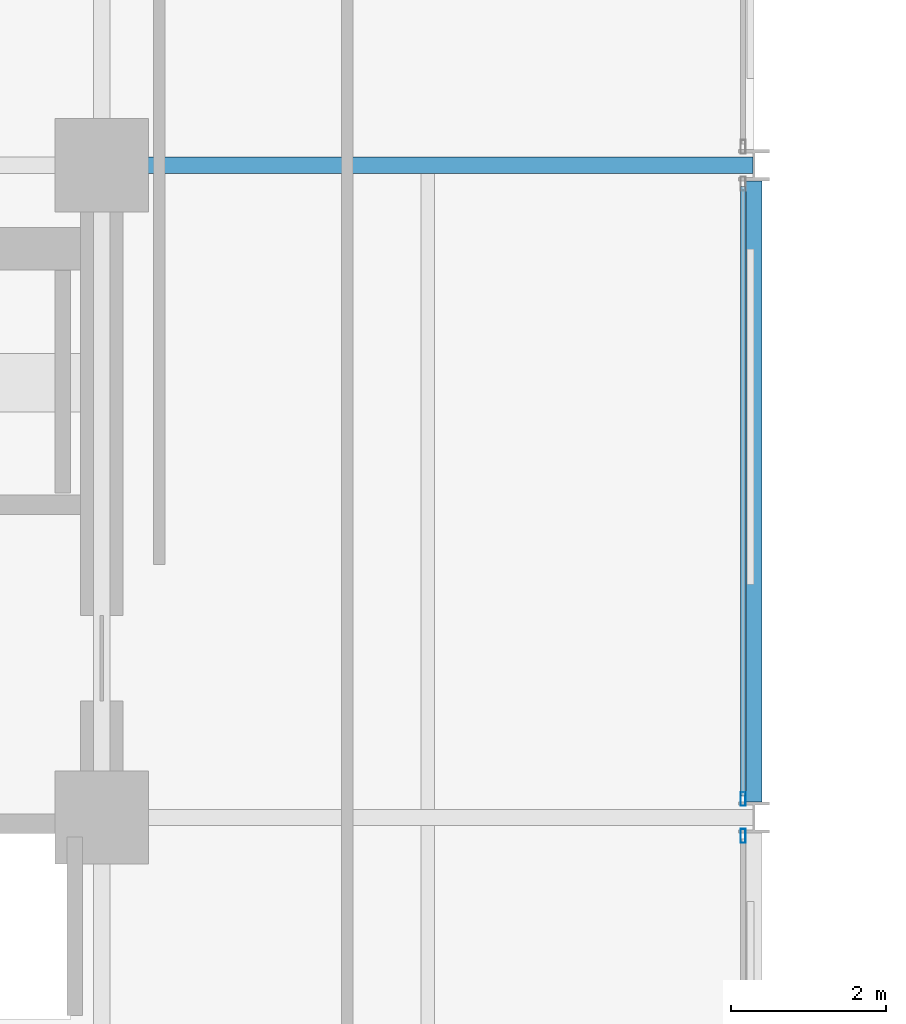
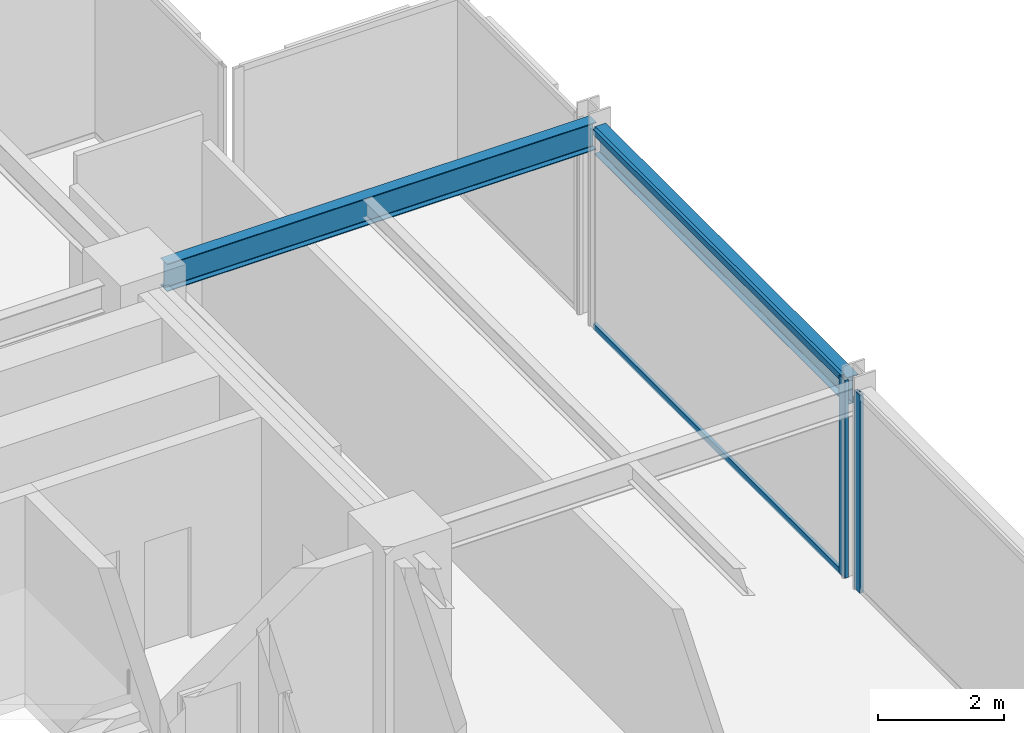
# One storey, part 27 of 38: 4 members, 2 beams, 2 elements without a shape of their own.
"""IFC4 building model written with IfcOpenShell, lengths in metres."""

from ifc_helpers import new_model, si_unit, direction, frame, origin, origin_2d, place, context, subcontext, project, spatial, hollow_rectangle, i_section, extrude, material, layer, layer_set, material_profile, profile_set, type_object, element, aggregate, save


model = new_model("IFC4")

# Units and contexts
model_context = context("Model", 3, precision=1e-05, world=origin(), true_north=direction((0.0, 1.0)))
body_context = subcontext(model_context, "Body", "Model", "MODEL_VIEW")
ifc_project = project(units=[si_unit("LENGTHUNIT", "METRE"), si_unit("AREAUNIT", "SQUARE_METRE"), si_unit("VOLUMEUNIT", "CUBIC_METRE"), si_unit("PLANEANGLEUNIT", "RADIAN"), si_unit("MASSUNIT", "GRAM", prefix="KILO")], contexts=[model_context])

# Site, building, storey
site_placement = place(None, origin())
site = spatial("IfcSite", under=ifc_project, at=site_placement, CompositionType="ELEMENT")
building_placement = place(site_placement, origin())
building = spatial("IfcBuilding", under=site, at=building_placement, Name="Nerrivon Quay Data Exchange", CompositionType="ELEMENT")
storey_placement = place(building_placement, frame((0.0, 0.0, 88.5)))
storey = spatial("IfcBuildingStorey", under=building, at=storey_placement, Name="L20", CompositionType="ELEMENT", Elevation=88.5)

# Beams
ifc_material_1 = material(Name="Steel Grade 350", Category="steel")
ifc_material_profile_1 = material_profile(ifc_material_1, i_section(OverallWidth=0.208984375, OverallDepth=0.532958984375, WebThickness=0.01025390625, FlangeThickness=0.015625, FilletRadius=0.013916015625, at=origin_2d()), Name="530UB92.4")
ifc_profile_set_1 = profile_set([ifc_material_profile_1], Name="Steel Grade 350")
beam_type_1 = type_object("IfcBeamType", Name="BM-G3-530UB92", PredefinedType="BEAM", material=ifc_profile_set_1)
beam_1_placement = place(storey_placement, frame((17.340087890625, 42.0, 3.55859375), z_axis=(1.0, 0.0, 0.0), x_axis=(0.0, 1.0, 0.0)))
element("IfcBeam", 1, at=beam_1_placement, inside=storey, type_object=beam_type_1, Name="L20 EW Girder Y=42.0 (16.8..25.2)", PredefinedType="BEAM", context=body_context, shape_type="SweptSolid", body=[
    extrude(i_section(OverallWidth=0.208984375, OverallDepth=0.532958984375, WebThickness=0.01025390625, FlangeThickness=0.015625, FilletRadius=0.013916015625, at=origin_2d()), origin(), (0.0, 0.0, 1.0), 7.847412109375),
])
ifc_material_profile_2 = material_profile(ifc_material_1, i_section(OverallWidth=0.208984375, OverallDepth=0.528076171875, WebThickness=0.009521484375, FlangeThickness=0.01318359375, FilletRadius=0.013916015625, at=origin_2d()), Name="530UB82.0")
ifc_profile_set_2 = profile_set([ifc_material_profile_2], Name="Steel Grade 350")
beam_type_2 = type_object("IfcBeamType", Name="BM-G4-530UB82", PredefinedType="BEAM", material=ifc_profile_set_2)
beam_2_placement = place(storey_placement, frame((25.199951171875, 33.800048828125, 3.56103515625), z_axis=(0.0, 1.0, 0.0), x_axis=(-1.0, 0.0, 0.0)))
element("IfcBeam", 2, at=beam_2_placement, inside=storey, type_object=beam_type_2, Name="L20 NS Girder X=25.2 (33.6..42.0)", PredefinedType="BEAM", context=body_context, shape_type="SweptSolid", body=[
    extrude(i_section(OverallWidth=0.208984375, OverallDepth=0.528076171875, WebThickness=0.009521484375, FlangeThickness=0.01318359375, FilletRadius=0.013916015625, at=origin_2d()), origin(), (0.0, 0.0, 1.0), 8.0),
])

# Curtain wall, member
ifc_material_2 = material(Name="Anodised aluminium 6063-T6", Category="aluminium")
ifc_layer = layer(ifc_material_2, 0.2099609375)
ifc_layer_set = layer_set([ifc_layer], Name="Anodised aluminium 6063-T6")
curtain_wall_type = type_object("IfcCurtainWallType", Name="CW-SYS-02", PredefinedType="NOTDEFINED", material=ifc_layer_set)
curtain_wall_1_placement = place(storey_placement, origin())
curtain_wall_1 = element("IfcCurtainWall", 3, at=curtain_wall_1_placement, inside=storey, type_object=curtain_wall_type, Name="L20 Unitised Curtain Wall 30", PredefinedType="NOTDEFINED")
ifc_material_profile_3 = material_profile(ifc_material_2, hollow_rectangle(XDim=0.06494140625, YDim=0.179931640625, WallThickness=0.00341796875, at=origin_2d()), Name="ALU-MULL-180x65")
ifc_profile_set_3 = profile_set([ifc_material_profile_3], Name="Anodised aluminium 6063-T6")
member_type_1 = type_object("IfcMemberType", Name="CWM-180x65", PredefinedType="MULLION", material=ifc_profile_set_3)
member_1_placement = place(storey_placement, frame((25.06005859375, 33.83740234375, 0.0), z_axis=(0.0, 0.0, 1.0), x_axis=(1.0, 0.0, 0.0)))
member_1 = element("IfcMember", 4, at=member_1_placement, type_object=member_type_1, Name="CW02 mullion 2", PredefinedType="MULLION", context=body_context, shape_type="SweptSolid", body=[
    extrude(hollow_rectangle(XDim=0.06494140625, YDim=0.179931640625, WallThickness=0.00341796875, at=origin_2d()), origin(), (0.0, 0.0, 1.0), 3.824951171875),
])

curtain_wall_2_placement = place(storey_placement, origin())
curtain_wall_2 = element("IfcCurtainWall", 5, at=curtain_wall_2_placement, inside=storey, type_object=curtain_wall_type, Name="L20 Unitised Curtain Wall 31", PredefinedType="NOTDEFINED")
member_2_placement = place(storey_placement, frame((25.06005859375, 33.362548828125, 0.0), z_axis=(0.0, 0.0, 1.0), x_axis=(1.0, 0.0, 0.0)))
member_2 = element("IfcMember", 6, at=member_2_placement, type_object=member_type_1, Name="CW02 mullion 1", PredefinedType="MULLION", context=body_context, shape_type="SweptSolid", body=[
    extrude(hollow_rectangle(XDim=0.06494140625, YDim=0.179931640625, WallThickness=0.00341796875, at=origin_2d()), origin(), (0.0, 0.0, 1.0), 3.824951171875),
])
aggregate(curtain_wall_2, [member_2])

# Member
ifc_material_profile_4 = material_profile(ifc_material_2, hollow_rectangle(XDim=0.06005859375, YDim=0.1201171875, WallThickness=0.003173828125, at=origin_2d()), Name="ALU-TRAN-120x60")
ifc_profile_set_4 = profile_set([ifc_material_profile_4], Name="Anodised aluminium 6063-T6")
member_type_2 = type_object("IfcMemberType", Name="CWT-120x60", PredefinedType="USERDEFINED", material=ifc_profile_set_4)
member_3_placement = place(storey_placement, frame((25.06005859375, 41.72509765625, 0.032470703125), z_axis=(0.0, -1.0, 0.0), x_axis=(1.0, 0.0, 0.0)))
member_3 = element("IfcMember", 7, at=member_3_placement, type_object=member_type_2, Name="CW02 transom 1.1", ObjectType="TRANSOM", PredefinedType="USERDEFINED", context=body_context, shape_type="SweptSolid", body=[
    extrude(hollow_rectangle(XDim=0.06005859375, YDim=0.1201171875, WallThickness=0.003173828125, at=origin_2d()), origin(), (0.0, 0.0, 1.0), 7.85009765625),
])

member_4_placement = place(storey_placement, frame((25.06005859375, 41.72509765625, 3.79248046875), z_axis=(0.0, -1.0, 0.0), x_axis=(1.0, 0.0, 0.0)))
member_4 = element("IfcMember", 8, at=member_4_placement, type_object=member_type_2, Name="CW02 transom 1.2", ObjectType="TRANSOM", PredefinedType="USERDEFINED", context=body_context, shape_type="SweptSolid", body=[
    extrude(hollow_rectangle(XDim=0.06005859375, YDim=0.1201171875, WallThickness=0.003173828125, at=origin_2d()), origin(), (0.0, 0.0, 1.0), 7.85009765625),
])

aggregate(curtain_wall_1, [member_1, member_3, member_4])

save(model, "model.ifc")
